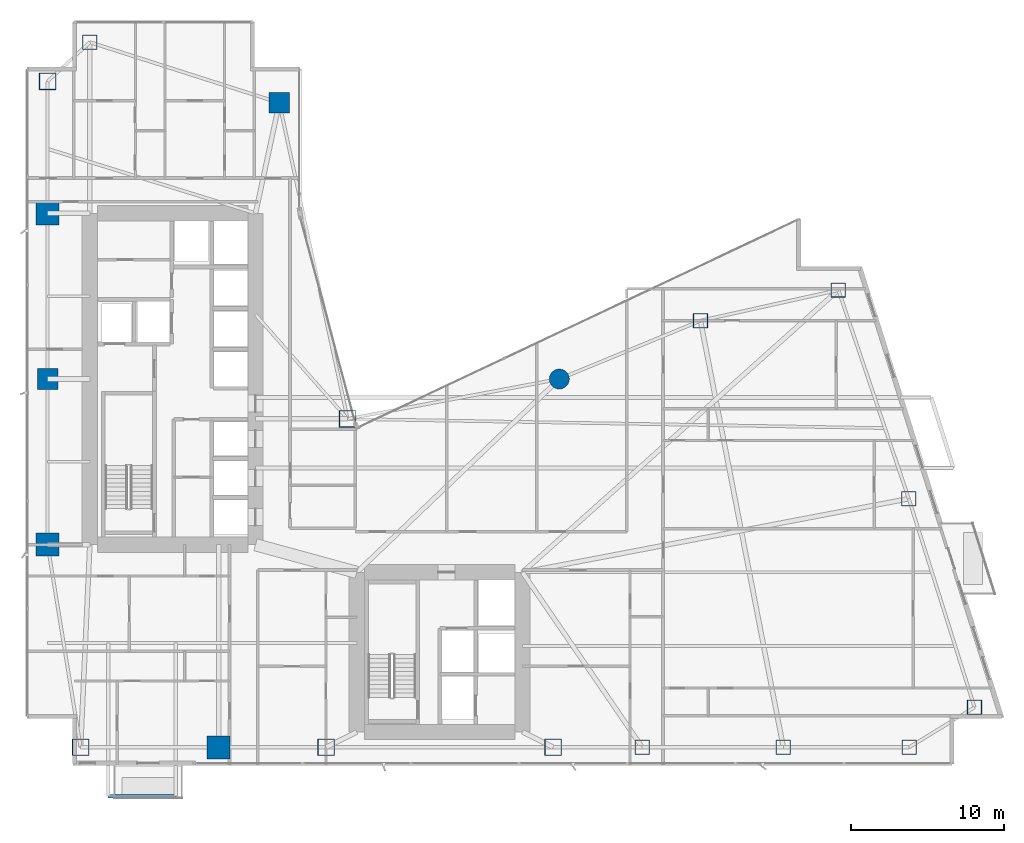
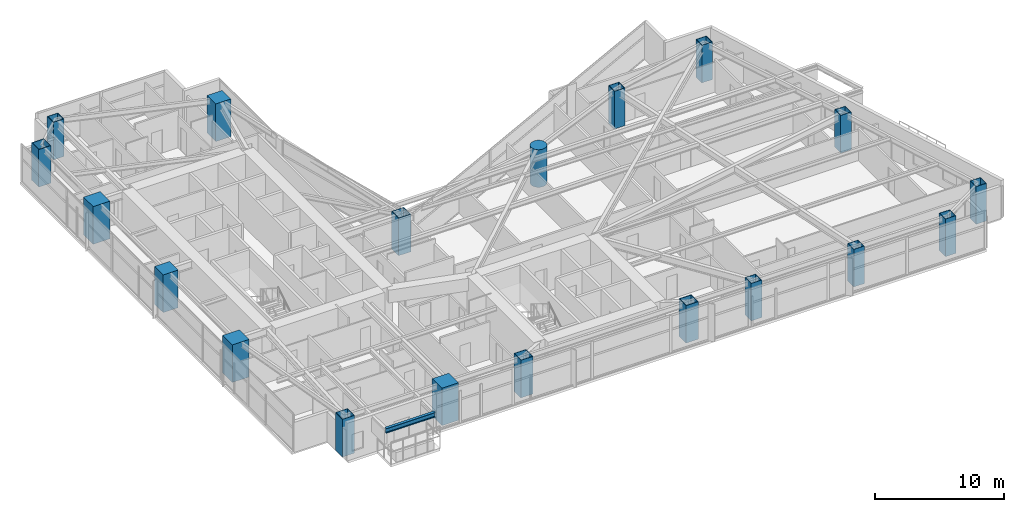
# One storey, part 1 of 29: 19 columns, 1 beam.
"""IFC4 building model written with IfcOpenShell, lengths in metres."""

from ifc_helpers import new_model, si_unit, direction, frame, origin, origin_2d, place, context, subcontext, project, spatial, rectangle, hollow_rectangle, circle, i_section, extrude, material, material_profile, profile_set, type_object, element, save


model = new_model("IFC4")

# Units and contexts
model_context = context("Model", 3, precision=1e-05, world=origin(), true_north=direction((0.0, 1.0)))
body_context = subcontext(model_context, "Body", "Model", "MODEL_VIEW")
ifc_project = project(units=[si_unit("LENGTHUNIT", "METRE"), si_unit("AREAUNIT", "SQUARE_METRE"), si_unit("VOLUMEUNIT", "CUBIC_METRE"), si_unit("PLANEANGLEUNIT", "RADIAN"), si_unit("MASSUNIT", "GRAM", prefix="KILO")], contexts=[model_context])

# Site, building, storey
site_placement = place(None, origin())
site = spatial("IfcSite", under=ifc_project, at=site_placement, CompositionType="ELEMENT")
building_placement = place(site_placement, origin())
building = spatial("IfcBuilding", under=site, at=building_placement, Name="Calvorn Quay Hotel", CompositionType="ELEMENT")
storey_placement = place(building_placement, frame((0.0, 0.0, 62.199951171875)))
storey = spatial("IfcBuildingStorey", under=building, at=storey_placement, Name="L14", CompositionType="ELEMENT", Elevation=62.199951171875)

# Columns
ifc_material_1 = material(Name="Concrete C60", Category="concrete")
ifc_material_profile_1 = material_profile(ifc_material_1, rectangle(XDim=1.35009765625, YDim=1.35009765625, at=origin_2d()), Name="RC1350x1350")
ifc_profile_set_1 = profile_set([ifc_material_profile_1], Name="Concrete C60")
column_type_1 = type_object("IfcColumnType", Name="COL-RC-1350", PredefinedType="COLUMN", material=ifc_profile_set_1)
for number, where, z_axis, x_axis, name in (
    (1, (1.449951171875, 27.60009765625, 0.0), (0.0, 0.0, 1.0), (1.0, 0.0, 0.0), "Column C-W3 (L14)"),
    (2, (16.550048828125, 45.60009765625, 0.0), (0.0, 0.0, 1.0), (1.0, 0.0, 0.0), "Column C-IC1 (L14)"),
):
    element("IfcColumn", number, at=place(storey_placement, frame(where, z_axis=z_axis, x_axis=x_axis)), inside=storey, type_object=column_type_1, Name=name, PredefinedType="COLUMN", context=body_context, shape_type="SweptSolid", body=[
        extrude(rectangle(XDim=1.35009765625, YDim=1.35009765625, at=origin_2d()), origin(), (0.0, 0.0, 1.0), 3.56005859375),
    ])
ifc_material_2 = material(Name="Concrete C60", Category="concrete")
ifc_material_profile_2 = material_profile(ifc_material_2, rectangle(XDim=1.5, YDim=1.5, at=origin_2d()), Name="RC1500x1500")
ifc_profile_set_2 = profile_set([ifc_material_profile_2], Name="Concrete C60")
column_type_2 = type_object("IfcColumnType", Name="COL-RC-1500", PredefinedType="COLUMN", material=ifc_profile_set_2)
for number, where, z_axis, x_axis, name in (
    (3, (1.449951171875, 16.800048828125, 0.0), (0.0, 0.0, 1.0), (1.0, 0.0, 0.0), "Column C-W2 (L14)"),
    (4, (1.449951171875, 38.39990234375, 0.0), (0.0, 0.0, 1.0), (1.0, 0.0, 0.0), "Column C-W4 (L14)"),
    (5, (12.60009765625, 3.60009765625, 0.0), (0.0, 0.0, 1.0), (1.0, 0.0, 0.0), "Column C-S1 (L14)"),
):
    element("IfcColumn", number, at=place(storey_placement, frame(where, z_axis=z_axis, x_axis=x_axis)), inside=storey, type_object=column_type_2, Name=name, PredefinedType="COLUMN", context=body_context, shape_type="SweptSolid", body=[
        extrude(rectangle(XDim=1.5, YDim=1.5, at=origin_2d()), origin(), (0.0, 0.0, 1.0), 3.56005859375),
    ])
ifc_material_3 = material(Name="Concrete C60", Category="concrete")
ifc_material_profile_3 = material_profile(ifc_material_3, circle(Radius=0.64990234375, at=origin_2d()), Name="RCD1300")
ifc_profile_set_3 = profile_set([ifc_material_profile_3], Name="Concrete C60")
column_type_3 = type_object("IfcColumnType", Name="COL-RC-D1300", PredefinedType="COLUMN", material=ifc_profile_set_3)
column_placement = place(storey_placement, frame((34.800048828125, 27.60009765625, 0.0), z_axis=(0.0, 0.0, 1.0), x_axis=(1.0, 0.0, 0.0)))
element("IfcColumn", 6, at=column_placement, inside=storey, type_object=column_type_3, Name="Column C-NC1 (L14)", PredefinedType="COLUMN", context=body_context, shape_type="SweptSolid", body=[
    extrude(circle(Radius=0.64990234375, at=origin_2d()), origin(), (0.0, 0.0, 1.0), 3.56005859375),
])
ifc_material_4 = material(Name="Steel Q420GJC", Category="steel")
ifc_material_profile_4 = material_profile(ifc_material_4, hollow_rectangle(XDim=1.10009765625, YDim=1.10009765625, WallThickness=0.044921875, at=origin_2d()), Name="BOX1100x1100x45")
ifc_profile_set_4 = profile_set([ifc_material_profile_4], Name="Steel Q420GJC")
column_type_4 = type_object("IfcColumnType", Name="COL-STL-MEGA1", PredefinedType="COLUMN", material=ifc_profile_set_4)
for number, where, z_axis, x_axis, name in (
    (7, (3.60009765625, 3.60009765625, 0.0), (0.0, 0.0, 1.0), (1.0, 0.0, 0.0), "Column C-W1 (L14)"),
    (8, (1.449951171875, 47.0, 0.0), (0.0, 0.0, 1.0), (1.0, 0.0, 0.0), "Column C-W5 (L14)"),
    (9, (21.0, 25.0, 0.0), (0.0, 0.0, 1.0), (1.0, 0.0, 0.0), "Column C-IC2 (L14)"),
    (10, (19.60009765625, 3.60009765625, 0.0), (0.0, 0.0, 1.0), (1.0, 0.0, 0.0), "Column C-S2 (L14)"),
    (11, (34.39990234375, 3.60009765625, 0.0), (0.0, 0.0, 1.0), (1.0, 0.0, 0.0), "Column C-S3 (L14)"),
):
    element("IfcColumn", number, at=place(storey_placement, frame(where, z_axis=z_axis, x_axis=x_axis)), inside=storey, type_object=column_type_4, Name=name, PredefinedType="COLUMN", context=body_context, shape_type="SweptSolid", body=[
        extrude(hollow_rectangle(XDim=1.10009765625, YDim=1.10009765625, WallThickness=0.044921875, at=origin_2d()), origin(), (0.0, 0.0, 1.0), 3.56005859375),
    ])
ifc_material_5 = material(Name="Steel Q420GJC", Category="steel")
ifc_material_profile_5 = material_profile(ifc_material_5, hollow_rectangle(XDim=0.949951171875, YDim=0.949951171875, WallThickness=0.0400390625, at=origin_2d()), Name="BOX950x950x40")
ifc_profile_set_5 = profile_set([ifc_material_profile_5], Name="Steel Q420GJC")
column_type_5 = type_object("IfcColumnType", Name="COL-STL-MEGA2", PredefinedType="COLUMN", material=ifc_profile_set_5)
for number, where, z_axis, x_axis, name in (
    (12, (4.199951171875, 49.550048828125, 0.0), (0.0, 0.0, 1.0), (1.0, 0.0, 0.0), "Column C-NW1 (L14)"),
    (13, (40.199951171875, 3.60009765625, 0.0), (0.0, 0.0, 1.0), (1.0, 0.0, 0.0), "Column C-S4 (L14)"),
    (14, (49.39990234375, 3.60009765625, 0.0), (0.0, 0.0, 1.0), (1.0, 0.0, 0.0), "Column C-S5 (L14)"),
    (15, (57.60009765625, 3.60009765625, 0.0), (0.0, 0.0, 1.0), (1.0, 0.0, 0.0), "Column C-S6 (L14)"),
    (16, (44.0, 31.39990234375, 0.0), (0.0, 0.0, 1.0), (1.0, 0.0, 0.0), "Column C-NC2 (L14)"),
    (17, (61.861083984375, 6.199951171875, 0.0), (0.0, 0.0, 1.0), (1.0, 0.0, 0.0), "Column C-ET1 (L14)"),
    (18, (57.575927734375, 19.800048828125, 0.0), (0.0, 0.0, 1.0), (1.0, 0.0, 0.0), "Column C-ET2 (L14)"),
    (19, (52.990966796875, 33.39990234375, 0.0), (0.0, 0.0, 1.0), (1.0, 0.0, 0.0), "Column C-ET3 (L14)"),
):
    element("IfcColumn", number, at=place(storey_placement, frame(where, z_axis=z_axis, x_axis=x_axis)), inside=storey, type_object=column_type_5, Name=name, PredefinedType="COLUMN", context=body_context, shape_type="SweptSolid", body=[
        extrude(hollow_rectangle(XDim=0.949951171875, YDim=0.949951171875, WallThickness=0.0400390625, at=origin_2d()), origin(), (0.0, 0.0, 1.0), 3.56005859375),
    ])

# Beam
ifc_material_6 = material(Name="Steel Q355B", Category="steel")
ifc_material_profile_6 = material_profile(ifc_material_6, i_section(OverallWidth=0.25, OverallDepth=0.449951171875, WebThickness=0.011962890625, FlangeThickness=0.01611328125, FilletRadius=0.01611328125, at=origin_2d()), Name="HN450x250x12x16")
ifc_profile_set_6 = profile_set([ifc_material_profile_6], Name="Steel Q355B")
beam_type = type_object("IfcBeamType", Name="BM-CANT-BALC", PredefinedType="BEAM", material=ifc_profile_set_6)
beam_placement = place(storey_placement, frame((5.39990234375, 0.409912109375, 3.31494140625), z_axis=(1.0, 0.0, 0.0), x_axis=(0.0, 1.0, 0.0)))
element("IfcBeam", 20, at=beam_placement, inside=storey, type_object=beam_type, Name="Beam BCBO-L15-2", PredefinedType="BEAM", context=body_context, shape_type="SweptSolid", body=[
    extrude(i_section(OverallWidth=0.25, OverallDepth=0.449951171875, WebThickness=0.011962890625, FlangeThickness=0.01611328125, FilletRadius=0.01611328125, at=origin_2d()), origin(), (0.0, 0.0, 1.0), 4.400146484375),
])

save(model, "model.ifc")
